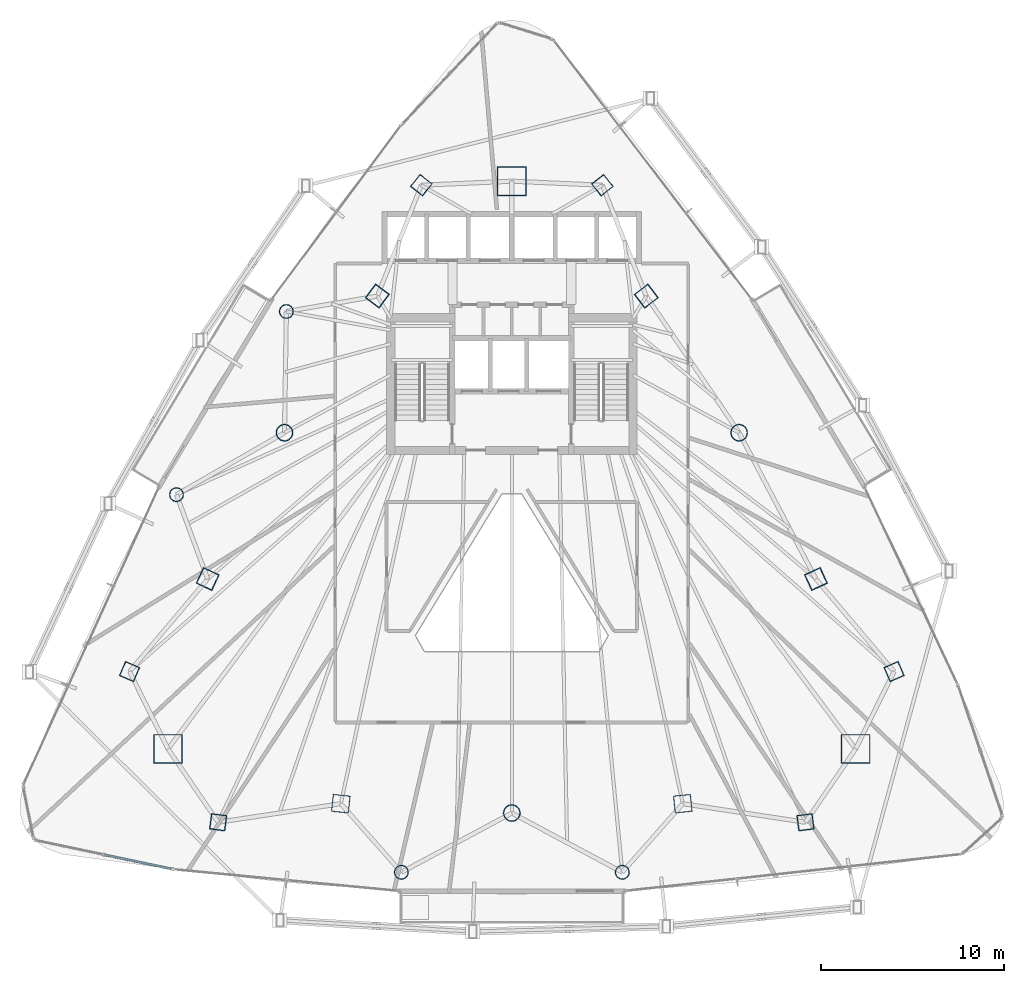
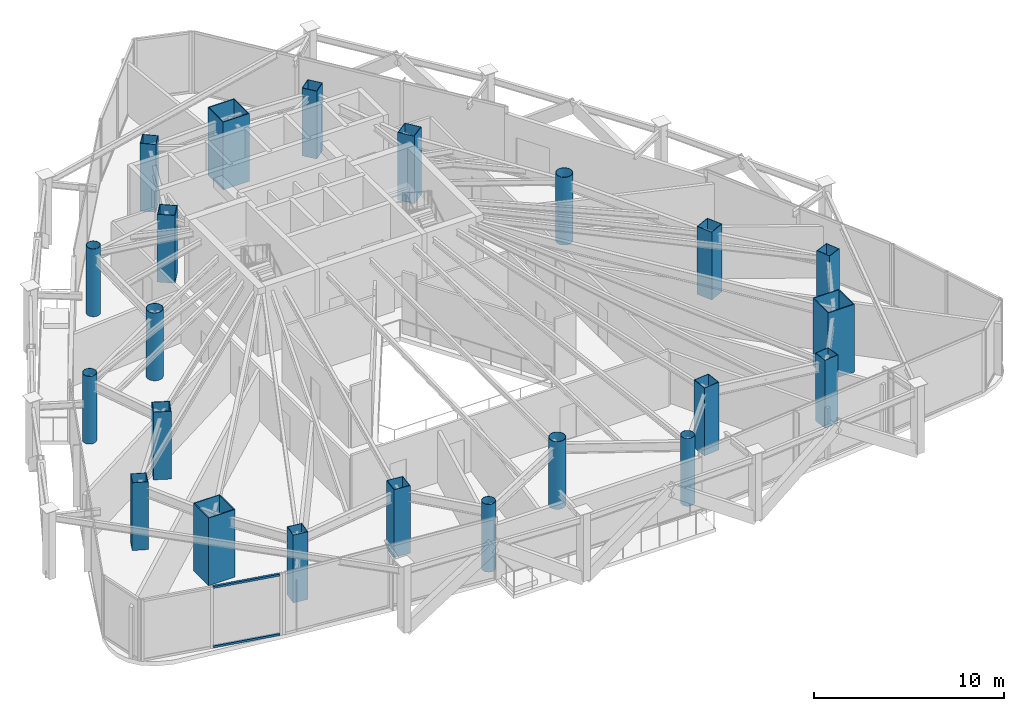
# One storey, part 1 of 33: 22 columns, 2 members, 1 element without a shape of its own.
"""IFC4 building model written with IfcOpenShell, lengths in metres."""

from ifc_helpers import new_model, si_unit, direction, frame, origin, origin_2d, place, context, subcontext, project, spatial, hollow_rectangle, hollow_circle, extrude, material, layer, layer_set, material_profile, profile_set, type_object, element, aggregate, save


model = new_model("IFC4")

# Units and contexts
model_context = context("Model", 3, precision=1e-05, world=origin(), true_north=direction((0.0, 1.0)))
body_context = subcontext(model_context, "Body", "Model", "MODEL_VIEW")
ifc_project = project(units=[si_unit("LENGTHUNIT", "METRE"), si_unit("AREAUNIT", "SQUARE_METRE"), si_unit("VOLUMEUNIT", "CUBIC_METRE"), si_unit("PLANEANGLEUNIT", "RADIAN"), si_unit("MASSUNIT", "GRAM", prefix="KILO")], contexts=[model_context])

# Site, building, storey
site_placement = place(None, origin())
site = spatial("IfcSite", under=ifc_project, at=site_placement, CompositionType="ELEMENT")
building_placement = place(site_placement, origin())
building = spatial("IfcBuilding", under=site, at=building_placement, Name="Orvanel Arch Residences", CompositionType="ELEMENT")
storey_placement = place(building_placement, frame((0.0, 0.0, 97.25)))
storey = spatial("IfcBuildingStorey", under=building, at=storey_placement, Name="L27", CompositionType="ELEMENT", Elevation=97.25)

# Columns
ifc_material_1 = material(Name="Structural steel AS/NZS 1163 C450L0 (Grade 450)", Category="steel")
ifc_material_profile_1 = material_profile(ifc_material_1, hollow_circle(Radius=0.381103515625, WallThickness=0.02197265625, at=origin_2d()), Name="CHS762x22")
ifc_profile_set_1 = profile_set([ifc_material_profile_1], Name="Structural steel AS/NZS 1163 C450L0 (Grade 450)")
column_type_1 = type_object("IfcColumnType", Name="CC-762", PredefinedType="COLUMN", material=ifc_profile_set_1)
for number, where, z_axis, x_axis, name in (
    (1, (20.669921875, 34.27099609375, 0.0), (0.0, 0.0, 1.0), (1.0, 0.0, 0.0), "L27 Low-Rise Buttress Tube Column 01"),
    (2, (14.662109375, 24.256103515625, 0.0), (0.0, 0.0, 1.0), (1.0, 0.0, 0.0), "L27 Low-Rise Buttress Tube Column 02"),
    (3, (26.9580078125, 3.60498046875, 0.0), (0.0, 0.0, 1.0), (1.0, 0.0, 0.0), "L27 Low-Rise Buttress Tube Column 03"),
    (4, (39.0419921875, 3.60498046875, 0.0), (0.0, 0.0, 1.0), (1.0, 0.0, 0.0), "L27 Low-Rise Buttress Tube Column 04"),
):
    element("IfcColumn", number, at=place(storey_placement, frame(where, z_axis=z_axis, x_axis=x_axis)), inside=storey, type_object=column_type_1, Name=name, PredefinedType="COLUMN", context=body_context, shape_type="SweptSolid", body=[
        extrude(hollow_circle(Radius=0.381103515625, WallThickness=0.02197265625, at=origin_2d()), origin(), (0.0, 0.0, 1.0), 4.35009765625),
    ])
ifc_material_profile_2 = material_profile(ifc_material_1, hollow_circle(Radius=0.45703125, WallThickness=0.02490234375, at=origin_2d()), Name="CHS914x25")
ifc_profile_set_2 = profile_set([ifc_material_profile_2], Name="Structural steel AS/NZS 1163 C450L0 (Grade 450)")
column_type_2 = type_object("IfcColumnType", Name="CC-914", PredefinedType="COLUMN", material=ifc_profile_set_2)
for number, where, z_axis, x_axis, name in (
    (5, (20.569091796875, 27.64111328125, 0.0), (0.0, 0.0, 1.0), (1.0, 0.0, 0.0), "L27 High-Rise Tube Column 02"),
    (6, (33.0, 6.843994140625, 0.0), (0.0, 0.0, 1.0), (1.0, 0.0, 0.0), "L27 High-Rise Tube Column 05"),
    (7, (45.430908203125, 27.64111328125, 0.0), (0.0, 0.0, 1.0), (1.0, 0.0, 0.0), "L27 High-Rise Tube Column 08"),
):
    element("IfcColumn", number, at=place(storey_placement, frame(where, z_axis=z_axis, x_axis=x_axis)), inside=storey, type_object=column_type_2, Name=name, PredefinedType="COLUMN", context=body_context, shape_type="SweptSolid", body=[
        extrude(hollow_circle(Radius=0.45703125, WallThickness=0.02490234375, at=origin_2d()), origin(), (0.0, 0.0, 1.0), 4.35009765625),
    ])
ifc_material_2 = material(Name="Structural steel AS/NZS 3678 Grade 450", Category="steel")
ifc_material_profile_3 = material_profile(ifc_material_2, hollow_rectangle(XDim=1.60009765625, YDim=1.60009765625, WallThickness=0.050048828125, at=origin_2d()), Name="BOX1600x1600x50")
ifc_profile_set_3 = profile_set([ifc_material_profile_3], Name="Structural steel AS/NZS 3678 Grade 450")
column_type_3 = type_object("IfcColumnType", Name="MC-1600", PredefinedType="COLUMN", material=ifc_profile_set_3)
for number, where, z_axis, x_axis, name in (
    (8, (33.0, 41.39794921875, 0.0), (0.0, 0.0, 1.0), (1.0, 0.0, 0.0), "L27 Corner Mega-Column 1"),
    (9, (14.198974609375, 10.35107421875, 0.0), (0.0, 0.0, 1.0), (1.0, 0.0, 0.0), "L27 Corner Mega-Column 2"),
    (10, (51.801025390625, 10.35107421875, 0.0), (0.0, 0.0, 1.0), (1.0, 0.0, 0.0), "L27 Corner Mega-Column 3"),
):
    element("IfcColumn", number, at=place(storey_placement, frame(where, z_axis=z_axis, x_axis=x_axis)), inside=storey, type_object=column_type_3, Name=name, PredefinedType="COLUMN", context=body_context, shape_type="SweptSolid", body=[
        extrude(hollow_rectangle(XDim=1.60009765625, YDim=1.60009765625, WallThickness=0.050048828125, at=origin_2d()), origin(), (0.0, 0.0, 1.0), 4.35009765625),
    ])
ifc_material_3 = material(Name="Structural steel AS/NZS 3678 Grade 350", Category="steel")
ifc_material_profile_4 = material_profile(ifc_material_3, hollow_rectangle(XDim=0.85009765625, YDim=0.85009765625, WallThickness=0.028076171875, at=origin_2d()), Name="BOX850x850x28")
ifc_profile_set_4 = profile_set([ifc_material_profile_4], Name="Structural steel AS/NZS 3678 Grade 350")
column_type_4 = type_object("IfcColumnType", Name="TC-850", PredefinedType="COLUMN", material=ifc_profile_set_4)
for number, where, z_axis, x_axis, name in (
    (11, (28.050048828125, 41.177978515625, 0.0), (0.0, 0.0, 1.0), (0.623879596709, 0.781520472419, 0.0), "L27 Mid-Rise Buttress Tube Column 01"),
    (12, (12.094970703125, 14.580078125, 0.0), (0.0, 0.0, 1.0), (0.397147890635, 0.917754625684, 0.0), "L27 Mid-Rise Buttress Tube Column 02"),
    (13, (16.94091796875, 6.339111328125, 0.0), (0.0, 0.0, 1.0), (-0.99189444259, 0.127064608601, 0.0), "L27 Mid-Rise Buttress Tube Column 03"),
    (14, (49.05908203125, 6.339111328125, 0.0), (0.0, 0.0, 1.0), (0.99189444259, 0.127064608601, 0.0), "L27 Mid-Rise Buttress Tube Column 04"),
    (15, (53.905029296875, 14.580078125, 0.0), (0.0, 0.0, 1.0), (-0.397147890635, 0.917754625684, 0.0), "L27 Mid-Rise Buttress Tube Column 05"),
    (16, (37.949951171875, 41.177978515625, 0.0), (0.0, 0.0, 1.0), (-0.623879596709, 0.781520472419, 0.0), "L27 Mid-Rise Buttress Tube Column 06"),
):
    element("IfcColumn", number, at=place(storey_placement, frame(where, z_axis=z_axis, x_axis=x_axis)), inside=storey, type_object=column_type_4, Name=name, PredefinedType="COLUMN", context=body_context, shape_type="SweptSolid", body=[
        extrude(hollow_rectangle(XDim=0.85009765625, YDim=0.85009765625, WallThickness=0.028076171875, at=origin_2d()), origin(), (0.0, 0.0, 1.0), 4.35009765625),
    ])
ifc_material_profile_5 = material_profile(ifc_material_3, hollow_rectangle(XDim=0.949951171875, YDim=0.949951171875, WallThickness=0.031982421875, at=origin_2d()), Name="BOX950x950x32")
ifc_profile_set_5 = profile_set([ifc_material_profile_5], Name="Structural steel AS/NZS 3678 Grade 350")
column_type_5 = type_object("IfcColumnType", Name="TC-950", PredefinedType="COLUMN", material=ifc_profile_set_5)
for number, where, z_axis, x_axis, name in (
    (17, (25.64794921875, 35.113037109375, 0.0), (0.0, 0.0, 1.0), (0.600420225326, 0.799684658487, 0.0), "L27 High-Rise Tube Column 01"),
    (18, (16.366943359375, 19.64208984375, 0.0), (0.0, 0.0, 1.0), (0.422618261741, 0.906307787037, 0.0), "L27 High-Rise Tube Column 03"),
    (19, (23.64892578125, 7.35498046875, 0.0), (0.0, 0.0, 1.0), (-0.994880708829, 0.101056297183, 0.0), "L27 High-Rise Tube Column 04"),
    (20, (42.35107421875, 7.35498046875, 0.0), (0.0, 0.0, 1.0), (0.994880708829, 0.101056297183, 0.0), "L27 High-Rise Tube Column 06"),
    (21, (49.633056640625, 19.64208984375, 0.0), (0.0, 0.0, 1.0), (-0.422618261741, 0.906307787037, 0.0), "L27 High-Rise Tube Column 07"),
    (22, (40.35205078125, 35.113037109375, 0.0), (0.0, 0.0, 1.0), (-0.600420225326, 0.799684658487, 0.0), "L27 High-Rise Tube Column 09"),
):
    element("IfcColumn", number, at=place(storey_placement, frame(where, z_axis=z_axis, x_axis=x_axis)), inside=storey, type_object=column_type_5, Name=name, PredefinedType="COLUMN", context=body_context, shape_type="SweptSolid", body=[
        extrude(hollow_rectangle(XDim=0.949951171875, YDim=0.949951171875, WallThickness=0.031982421875, at=origin_2d()), origin(), (0.0, 0.0, 1.0), 4.35009765625),
    ])

# Curtain wall, members
ifc_material_4 = material(Name="Bronze-anodised aluminium AA6063-T6", Category="aluminium")
ifc_layer = layer(ifc_material_4, 0.18994140625)
ifc_layer_set = layer_set([ifc_layer], Name="Bronze-anodised aluminium AA6063-T6")
curtain_wall_type = type_object("IfcCurtainWallType", Name="CW5-CRN-SYS", PredefinedType="NOTDEFINED", material=ifc_layer_set)
curtain_wall_placement = place(storey_placement, origin())
curtain_wall = element("IfcCurtainWall", 23, at=curtain_wall_placement, inside=storey, type_object=curtain_wall_type, Name="L27 CW5-CRN-SYS Unitised Curtain Wall", PredefinedType="NOTDEFINED")
ifc_material_profile_6 = material_profile(ifc_material_4, hollow_rectangle(XDim=0.1298828125, YDim=0.1298828125, WallThickness=0.00439453125, at=origin_2d()), Name="ALU130x130x4.5")
ifc_profile_set_6 = profile_set([ifc_material_profile_6], Name="Bronze-anodised aluminium AA6063-T6")
member_type = type_object("IfcMemberType", Name="TRN-130x130", PredefinedType="USERDEFINED", material=ifc_profile_set_6)
member_1_placement = place(storey_placement, frame((10.7734375, 4.551513671875, 0.06494140625), z_axis=(0.978492762202, -0.206281153569, 0.0), x_axis=(0.206281153569, 0.978492762202, 0.0)))
member_1 = element("IfcMember", 24, at=member_1_placement, type_object=member_type, Name="CW-S5 transom 2.1", ObjectType="TRANSOM", PredefinedType="USERDEFINED", context=body_context, shape_type="SweptSolid", body=[
    extrude(hollow_rectangle(XDim=0.1298828125, YDim=0.1298828125, WallThickness=0.00439453125, at=origin_2d()), origin(), (0.0, 0.0, 1.0), 3.681884765625),
])
member_2_placement = place(storey_placement, frame((10.7734375, 4.551513671875, 3.885009765625), z_axis=(0.978492762202, -0.206281153569, 0.0), x_axis=(0.206281153569, 0.978492762202, 0.0)))
member_2 = element("IfcMember", 25, at=member_2_placement, type_object=member_type, Name="CW-S5 transom 2.2", ObjectType="TRANSOM", PredefinedType="USERDEFINED", context=body_context, shape_type="SweptSolid", body=[
    extrude(hollow_rectangle(XDim=0.1298828125, YDim=0.1298828125, WallThickness=0.00439453125, at=origin_2d()), origin(), (0.0, 0.0, 1.0), 3.681884765625),
])
aggregate(curtain_wall, [member_1, member_2])

save(model, "model.ifc")
